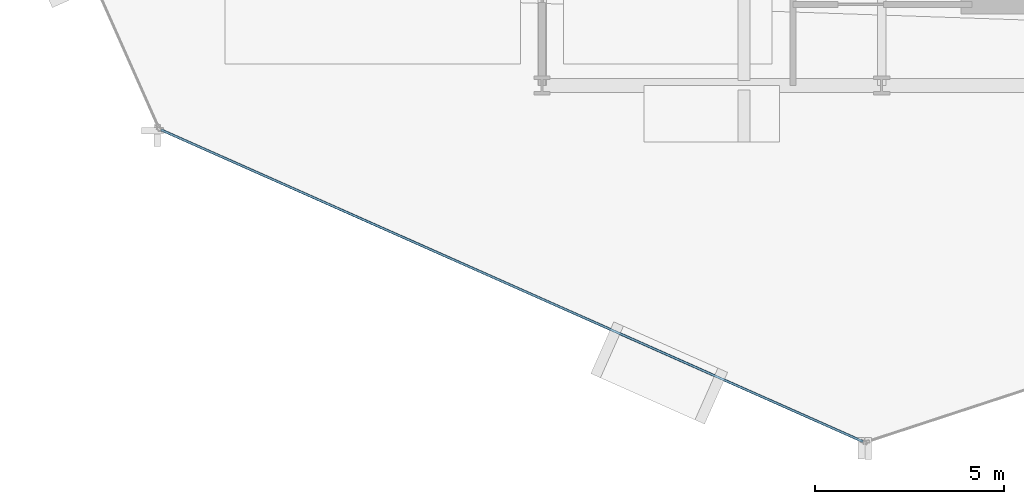
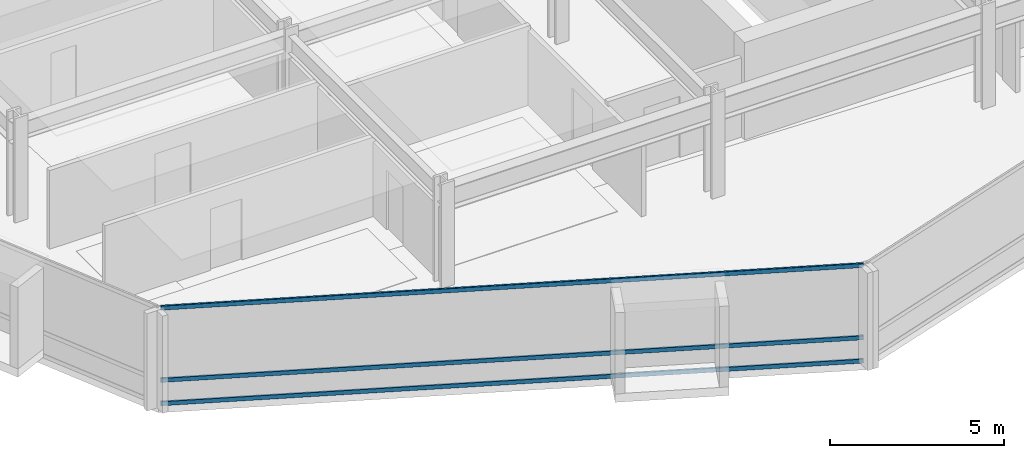
# One storey, part 3 of 34: 3 members, 1 element without a shape of its own.
"""IFC4 building model written with IfcOpenShell, lengths in metres."""

from ifc_helpers import new_model, si_unit, direction, frame, origin, origin_2d, place, context, subcontext, project, spatial, hollow_rectangle, extrude, material, layer, layer_set, material_profile, profile_set, type_object, element, aggregate, save


model = new_model("IFC4")

# Units and contexts
model_context = context("Model", 3, precision=1e-05, world=origin(), true_north=direction((0.0, 1.0)))
body_context = subcontext(model_context, "Body", "Model", "MODEL_VIEW")
ifc_project = project(units=[si_unit("LENGTHUNIT", "METRE"), si_unit("AREAUNIT", "SQUARE_METRE"), si_unit("VOLUMEUNIT", "CUBIC_METRE"), si_unit("PLANEANGLEUNIT", "RADIAN"), si_unit("MASSUNIT", "GRAM", prefix="KILO")], contexts=[model_context])

# Site, building, storey
site_placement = place(None, origin())
site = spatial("IfcSite", under=ifc_project, at=site_placement, CompositionType="ELEMENT")
building_placement = place(site_placement, origin())
building = spatial("IfcBuilding", under=site, at=building_placement, Name="Solvaryn Broadcast Tower", CompositionType="ELEMENT")
storey_placement = place(building_placement, frame((0.0, 0.0, 58.199951171875)))
storey = spatial("IfcBuildingStorey", under=building, at=storey_placement, Name="L13", CompositionType="ELEMENT", Elevation=58.199951171875)

# Curtain wall, members
ifc_material_1 = material(Name="Aluminium and Terracotta Unitised Curtain Wall", Category="masonry")
ifc_layer = layer(ifc_material_1, 0.199951171875)
ifc_layer_set = layer_set([ifc_layer], Name="CW-SYS2-LOWMID")
curtain_wall_type = type_object("IfcCurtainWallType", Name="CW-SYS2-LOWMID", PredefinedType="NOTDEFINED", material=ifc_layer_set)
curtain_wall_placement = place(storey_placement, origin())
curtain_wall = element("IfcCurtainWall", 1, at=curtain_wall_placement, inside=storey, type_object=curtain_wall_type, Name="L13 Curtain Wall DR3", PredefinedType="NOTDEFINED")
ifc_material_2 = material(Name="Anodised Aluminium 6063-T6", Category="aluminium")
ifc_material_profile = material_profile(ifc_material_2, hollow_rectangle(XDim=0.06494140625, YDim=0.14990234375, WallThickness=0.00390625, InnerFilletRadius=0.00390625, OuterFilletRadius=0.008056640625, at=origin_2d()))
ifc_profile_set = profile_set([ifc_material_profile], Name="Anodised Aluminium 6063-T6")
member_type = type_object("IfcMemberType", Name="CW-TRN-150", PredefinedType="USERDEFINED", material=ifc_profile_set)
member_1_placement = place(storey_placement, frame((7.90185546875, 7.82275390625, 0.030029296875), z_axis=(0.913914888191, -0.405905872269, 0.0), x_axis=(0.405905872269, 0.913914888191, 0.0)))
member_1 = element("IfcMember", 2, at=member_1_placement, type_object=member_type, Name="CWS2 transom 1.1", ObjectType="TRANSOM", PredefinedType="USERDEFINED", context=body_context, shape_type="SweptSolid", body=[
    extrude(hollow_rectangle(XDim=0.06494140625, YDim=0.14990234375, WallThickness=0.00390625, InnerFilletRadius=0.00390625, OuterFilletRadius=0.008056640625, at=origin_2d()), origin(), (0.0, 0.0, 1.0), 20.35546875),
])
member_2_placement = place(storey_placement, frame((7.90185546875, 7.82275390625, 0.85009765625), z_axis=(0.913914888191, -0.405905872269, 0.0), x_axis=(0.405905872269, 0.913914888191, 0.0)))
member_2 = element("IfcMember", 3, at=member_2_placement, type_object=member_type, Name="CWS2 transom 1.2", ObjectType="TRANSOM", PredefinedType="USERDEFINED", context=body_context, shape_type="SweptSolid", body=[
    extrude(hollow_rectangle(XDim=0.06494140625, YDim=0.14990234375, WallThickness=0.00390625, InnerFilletRadius=0.00390625, OuterFilletRadius=0.008056640625, at=origin_2d()), origin(), (0.0, 0.0, 1.0), 20.35546875),
])
member_3_placement = place(storey_placement, frame((7.90185546875, 7.82275390625, 3.39013671875), z_axis=(0.913914888191, -0.405905872269, 0.0), x_axis=(0.405905872269, 0.913914888191, 0.0)))
member_3 = element("IfcMember", 4, at=member_3_placement, type_object=member_type, Name="CWS2 transom 1.3", ObjectType="TRANSOM", PredefinedType="USERDEFINED", context=body_context, shape_type="SweptSolid", body=[
    extrude(hollow_rectangle(XDim=0.06494140625, YDim=0.14990234375, WallThickness=0.00390625, InnerFilletRadius=0.00390625, OuterFilletRadius=0.008056640625, at=origin_2d()), origin(), (0.0, 0.0, 1.0), 20.35546875),
])
aggregate(curtain_wall, [member_1, member_2, member_3])

save(model, "model.ifc")
